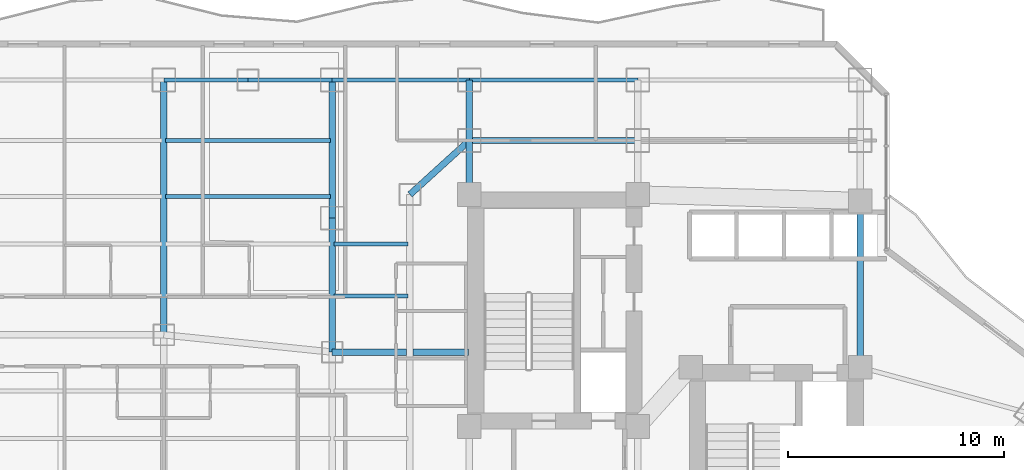
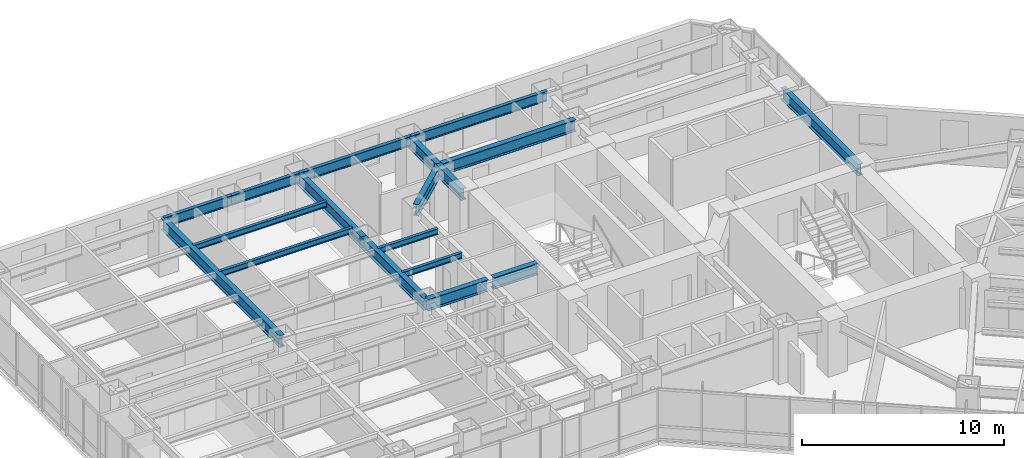
# One storey, part 23 of 38: 18 beams.
"""IFC4 building model written with IfcOpenShell, lengths in metres."""

from ifc_helpers import new_model, si_unit, direction, frame, origin, origin_2d, place, context, subcontext, project, spatial, i_section, extrude, material, material_profile, profile_set, type_object, element, save


model = new_model("IFC4")

# Units and contexts
model_context = context("Model", 3, precision=1e-05, world=origin(), true_north=direction((0.0, 1.0)))
body_context = subcontext(model_context, "Body", "Model", "MODEL_VIEW")
ifc_project = project(units=[si_unit("LENGTHUNIT", "METRE"), si_unit("AREAUNIT", "SQUARE_METRE"), si_unit("VOLUMEUNIT", "CUBIC_METRE"), si_unit("PLANEANGLEUNIT", "RADIAN"), si_unit("MASSUNIT", "GRAM", prefix="KILO")], contexts=[model_context])

# Site, building, storey
site_placement = place(None, origin())
site = spatial("IfcSite", under=ifc_project, at=site_placement, CompositionType="ELEMENT")
building_placement = place(site_placement, origin())
building = spatial("IfcBuilding", under=site, at=building_placement, Name="Hatsunagi Terrace Concourse", CompositionType="ELEMENT")
storey_placement = place(building_placement, frame((0.0, 0.0, 63.39990234375)))
storey = spatial("IfcBuildingStorey", under=building, at=storey_placement, Name="L16", CompositionType="ELEMENT", Elevation=63.39990234375)

# Beams
ifc_material_1 = material(Name="Steel SN490B", Category="steel")
ifc_material_profile_1 = material_profile(ifc_material_1, i_section(OverallWidth=0.300048828125, OverallDepth=0.699951171875, WebThickness=0.012939453125, FlangeThickness=0.02392578125, FilletRadius=0.02197265625, at=origin_2d()), Name="H-700x300x13x24")
ifc_profile_set_1 = profile_set([ifc_material_profile_1], Name="Steel SN490B")
beam_type_1 = type_object("IfcBeamType", Name="HotelFloorGirder_H_700x300", PredefinedType="BEAM", material=ifc_profile_set_1)
beam_1_placement = place(storey_placement, frame((43.64990234375, 35.300048828125, 2.780029296875), z_axis=(0.0, 1.0, 0.0), x_axis=(-1.0, 0.0, 0.0)))
element("IfcBeam", 1, at=beam_1_placement, inside=storey, type_object=beam_type_1, Name="Beam G-04 BM-L16-CBK3", PredefinedType="BEAM", context=body_context, shape_type="SweptSolid", body=[
    extrude(i_section(OverallWidth=0.300048828125, OverallDepth=0.699951171875, WebThickness=0.012939453125, FlangeThickness=0.02392578125, FilletRadius=0.02197265625, at=origin_2d()), origin(), (0.0, 0.0, 1.0), 7.699951171875),
])
beam_2_placement = place(storey_placement, frame((25.550048828125, 43.300048828125, 2.780029296875), z_axis=(0.0, 1.0, 0.0), x_axis=(-1.0, 0.0, 0.0)))
element("IfcBeam", 2, at=beam_2_placement, inside=storey, type_object=beam_type_1, Name="Beam G-04 BM-L16-CN1", PredefinedType="BEAM", context=body_context, shape_type="SweptSolid", body=[
    extrude(i_section(OverallWidth=0.300048828125, OverallDepth=0.699951171875, WebThickness=0.012939453125, FlangeThickness=0.02392578125, FilletRadius=0.02197265625, at=origin_2d()), origin(), (0.0, 0.0, 1.0), 2.5),
])
beam_3_placement = place(storey_placement, frame((25.550048828125, 45.800048828125, 2.780029296875), z_axis=(1.0, 0.0, 0.0), x_axis=(0.0, 1.0, 0.0)))
element("IfcBeam", 3, at=beam_3_placement, inside=storey, type_object=beam_type_1, Name="Beam G-04 BM-L16-CNEW1", PredefinedType="BEAM", context=body_context, shape_type="SweptSolid", body=[
    extrude(i_section(OverallWidth=0.300048828125, OverallDepth=0.699951171875, WebThickness=0.012939453125, FlangeThickness=0.02392578125, FilletRadius=0.02197265625, at=origin_2d()), origin(), (0.0, 0.0, 1.0), 7.800048828125),
])
beam_4_placement = place(storey_placement, frame((25.550048828125, 45.800048828125, 2.780029296875), z_axis=(0.0, 1.0, 0.0), x_axis=(-1.0, 0.0, 0.0)))
element("IfcBeam", 4, at=beam_4_placement, inside=storey, type_object=beam_type_1, Name="Beam G-04 BM-L16-KN-WN4", PredefinedType="BEAM", context=body_context, shape_type="SweptSolid", body=[
    extrude(i_section(OverallWidth=0.300048828125, OverallDepth=0.699951171875, WebThickness=0.012939453125, FlangeThickness=0.02392578125, FilletRadius=0.02197265625, at=origin_2d()), origin(), (0.0, 0.0, 1.0), 2.800048828125),
])
beam_5_placement = place(storey_placement, frame((22.800048828125, 43.300048828125, 2.780029296875), z_axis=(0.739940073396, 0.672672793996, 0.0), x_axis=(-0.672672793996, 0.739940073396, 0.0)))
element("IfcBeam", 5, at=beam_5_placement, inside=storey, type_object=beam_type_1, Name="Beam G-04 BM-L16-CWEW-N", PredefinedType="BEAM", context=body_context, shape_type="SweptSolid", body=[
    extrude(i_section(OverallWidth=0.300048828125, OverallDepth=0.699951171875, WebThickness=0.012939453125, FlangeThickness=0.02392578125, FilletRadius=0.02197265625, at=origin_2d()), origin(), (0.0, 0.0, 1.0), 3.716552734375),
])
beam_6_placement = place(storey_placement, frame((11.39990234375, 36.800048828125, 2.780029296875), z_axis=(0.0, 1.0, 0.0), x_axis=(-1.0, 0.0, 0.0)))
element("IfcBeam", 6, at=beam_6_placement, inside=storey, type_object=beam_type_1, Name="Beam G-04 BM-L16-NS-11-36", PredefinedType="BEAM", context=body_context, shape_type="SweptSolid", body=[
    extrude(i_section(OverallWidth=0.300048828125, OverallDepth=0.699951171875, WebThickness=0.012939453125, FlangeThickness=0.02392578125, FilletRadius=0.02197265625, at=origin_2d()), origin(), (0.0, 0.0, 1.0), 11.800048828125),
])
beam_7_placement = place(storey_placement, frame((19.199951171875, 36.0, 2.780029296875), z_axis=(0.0, 1.0, 0.0), x_axis=(-1.0, 0.0, 0.0)))
element("IfcBeam", 7, at=beam_7_placement, inside=storey, type_object=beam_type_1, Name="Beam G-04 BM-L16-NS-19-36", PredefinedType="BEAM", context=body_context, shape_type="SweptSolid", body=[
    extrude(i_section(OverallWidth=0.300048828125, OverallDepth=0.699951171875, WebThickness=0.012939453125, FlangeThickness=0.02392578125, FilletRadius=0.02197265625, at=origin_2d()), origin(), (0.0, 0.0, 1.0), 6.199951171875),
])
beam_8_placement = place(storey_placement, frame((19.199951171875, 42.199951171875, 2.780029296875), z_axis=(0.0, 1.0, 0.0), x_axis=(-1.0, 0.0, 0.0)))
element("IfcBeam", 8, at=beam_8_placement, inside=storey, type_object=beam_type_1, Name="Beam G-04 BM-L16-NS-19-42", PredefinedType="BEAM", context=body_context, shape_type="SweptSolid", body=[
    extrude(i_section(OverallWidth=0.300048828125, OverallDepth=0.699951171875, WebThickness=0.012939453125, FlangeThickness=0.02392578125, FilletRadius=0.02197265625, at=origin_2d()), origin(), (0.0, 0.0, 1.0), 6.400146484375),
])
beam_9_placement = place(storey_placement, frame((19.199951171875, 36.0, 2.780029296875), z_axis=(1.0, 0.0, 0.0), x_axis=(0.0, 1.0, 0.0)))
element("IfcBeam", 9, at=beam_9_placement, inside=storey, type_object=beam_type_1, Name="Beam G-04 BM-L16-EW-3", PredefinedType="BEAM", context=body_context, shape_type="SweptSolid", body=[
    extrude(i_section(OverallWidth=0.300048828125, OverallDepth=0.699951171875, WebThickness=0.012939453125, FlangeThickness=0.02392578125, FilletRadius=0.02197265625, at=origin_2d()), origin(), (0.0, 0.0, 1.0), 3.449951171875),
])
beam_10_placement = place(storey_placement, frame((22.949951171875, 36.0, 2.780029296875), z_axis=(1.0, 0.0, 0.0), x_axis=(0.0, 1.0, 0.0)))
element("IfcBeam", 10, at=beam_10_placement, inside=storey, type_object=beam_type_1, Name="Beam G-04 BM-L16-EW-4", PredefinedType="BEAM", context=body_context, shape_type="SweptSolid", body=[
    extrude(i_section(OverallWidth=0.300048828125, OverallDepth=0.699951171875, WebThickness=0.012939453125, FlangeThickness=0.02392578125, FilletRadius=0.02197265625, at=origin_2d()), origin(), (0.0, 0.0, 1.0), 2.56005859375),
])
ifc_material_2 = material(Name="Steel SN490B", Category="steel")
ifc_material_profile_2 = material_profile(ifc_material_2, i_section(OverallWidth=0.175048828125, OverallDepth=0.35009765625, WebThickness=0.007080078125, FlangeThickness=0.010986328125, FilletRadius=0.012939453125, at=origin_2d()), Name="H-350x175x7x11")
ifc_profile_set_2 = profile_set([ifc_material_profile_2], Name="Steel SN490B")
beam_type_2 = type_object("IfcBeamType", Name="HotelJoist_H_350x175", PredefinedType="JOIST", material=ifc_profile_set_2)
for number, where, z_axis, x_axis, name in (
    (11, (19.284912109375, 38.60009765625, 2.955078125), (1.0, 0.0, 0.0), (0.0, 1.0, 0.0), "Beam J-02 J-L16-W-19-386"),
    (12, (19.284912109375, 41.0, 2.955078125), (1.0, 0.0, 0.0), (0.0, 1.0, 0.0), "Beam J-02 J-L16-W-19-410"),
):
    element("IfcBeam", number, at=place(storey_placement, frame(where, z_axis=z_axis, x_axis=x_axis)), inside=storey, type_object=beam_type_2, Name=name, PredefinedType="JOIST", context=body_context, shape_type="SweptSolid", body=[
        extrude(i_section(OverallWidth=0.175048828125, OverallDepth=0.35009765625, WebThickness=0.007080078125, FlangeThickness=0.010986328125, FilletRadius=0.012939453125, at=origin_2d()), origin(), (0.0, 0.0, 1.0), 3.43017578125),
    ])
for number, where, z_axis, x_axis, name in (
    (13, (11.485107421875, 43.199951171875, 2.955078125), (1.0, 0.0, 0.0), (0.0, 1.0, 0.0), "Beam J-02 J-L16-W-11-432"),
    (14, (11.485107421875, 45.800048828125, 2.955078125), (1.0, 0.0, 0.0), (0.0, 1.0, 0.0), "Beam J-02 J-L16-W-11-458"),
):
    element("IfcBeam", number, at=place(storey_placement, frame(where, z_axis=z_axis, x_axis=x_axis)), inside=storey, type_object=beam_type_2, Name=name, PredefinedType="JOIST", context=body_context, shape_type="SweptSolid", body=[
        extrude(i_section(OverallWidth=0.175048828125, OverallDepth=0.35009765625, WebThickness=0.007080078125, FlangeThickness=0.010986328125, FilletRadius=0.012939453125, at=origin_2d()), origin(), (0.0, 0.0, 1.0), 7.6298828125),
    ])
ifc_material_3 = material(Name="Steel SN490B", Category="steel")
ifc_material_profile_3 = material_profile(ifc_material_3, i_section(OverallWidth=0.199951171875, OverallDepth=0.60009765625, WebThickness=0.010986328125, FlangeThickness=0.01708984375, FilletRadius=0.01806640625, at=origin_2d()), Name="H-600x200x11x17")
ifc_profile_set_3 = profile_set([ifc_material_profile_3], Name="Steel SN490B")
beam_type_3 = type_object("IfcBeamType", Name="PerimeterSpandrel_H_600x200", PredefinedType="SPANDREL", material=ifc_profile_set_3)
beam_11_placement = place(storey_placement, frame((11.39990234375, 48.60009765625, 2.830078125), z_axis=(1.0, 0.0, 0.0), x_axis=(0.0, 1.0, 0.0)))
element("IfcBeam", 15, at=beam_11_placement, inside=storey, type_object=beam_type_3, Name="Beam SP-01 BM-L16-WN-11", PredefinedType="SPANDREL", context=body_context, shape_type="SweptSolid", body=[
    extrude(i_section(OverallWidth=0.199951171875, OverallDepth=0.60009765625, WebThickness=0.010986328125, FlangeThickness=0.01708984375, FilletRadius=0.01806640625, at=origin_2d()), origin(), (0.0, 0.0, 1.0), 3.900146484375),
])
beam_12_placement = place(storey_placement, frame((15.300048828125, 48.60009765625, 2.830078125), z_axis=(1.0, 0.0, 0.0), x_axis=(0.0, 1.0, 0.0)))
element("IfcBeam", 16, at=beam_12_placement, inside=storey, type_object=beam_type_3, Name="Beam SP-01 BM-L16-WN-15", PredefinedType="SPANDREL", context=body_context, shape_type="SweptSolid", body=[
    extrude(i_section(OverallWidth=0.199951171875, OverallDepth=0.60009765625, WebThickness=0.010986328125, FlangeThickness=0.01708984375, FilletRadius=0.01806640625, at=origin_2d()), origin(), (0.0, 0.0, 1.0), 3.89990234375),
])
beam_13_placement = place(storey_placement, frame((19.199951171875, 48.60009765625, 2.830078125), z_axis=(1.0, 0.0, 0.0), x_axis=(0.0, 1.0, 0.0)))
element("IfcBeam", 17, at=beam_13_placement, inside=storey, type_object=beam_type_3, Name="Beam SP-01 BM-L16-WN-19", PredefinedType="SPANDREL", context=body_context, shape_type="SweptSolid", body=[
    extrude(i_section(OverallWidth=0.199951171875, OverallDepth=0.60009765625, WebThickness=0.010986328125, FlangeThickness=0.01708984375, FilletRadius=0.01806640625, at=origin_2d()), origin(), (0.0, 0.0, 1.0), 6.35009765625),
])
beam_14_placement = place(storey_placement, frame((25.550048828125, 48.60009765625, 2.830078125), z_axis=(1.0, 0.0, 0.0), x_axis=(0.0, 1.0, 0.0)))
element("IfcBeam", 18, at=beam_14_placement, inside=storey, type_object=beam_type_3, Name="Beam SP-01 BM-L16-WN-25", PredefinedType="SPANDREL", context=body_context, shape_type="SweptSolid", body=[
    extrude(i_section(OverallWidth=0.199951171875, OverallDepth=0.60009765625, WebThickness=0.010986328125, FlangeThickness=0.01708984375, FilletRadius=0.01806640625, at=origin_2d()), origin(), (0.0, 0.0, 1.0), 7.800048828125),
])

save(model, "model.ifc")
